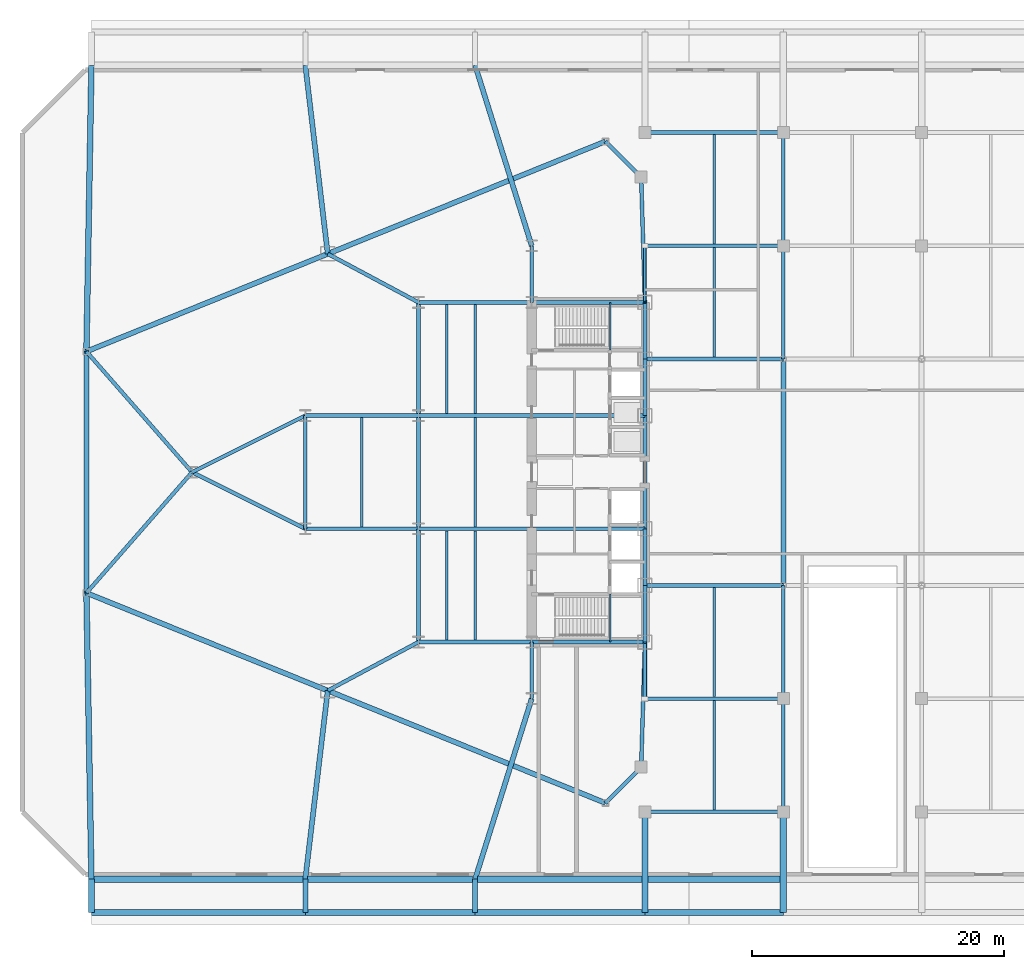
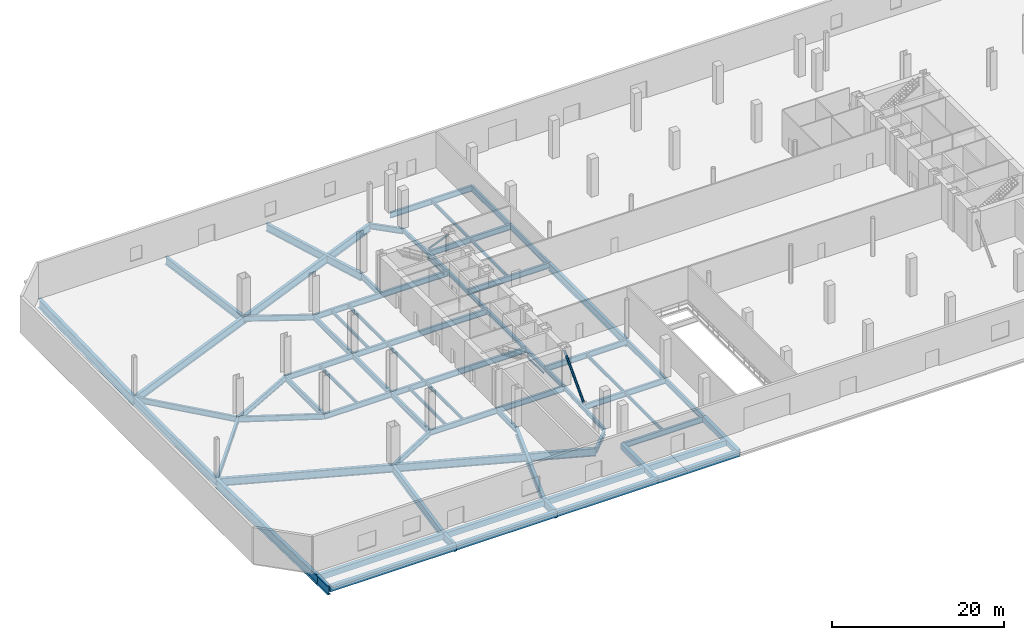
# One storey, part 7 of 21: 78 beams, 2 members.
"""IFC4 building model written with IfcOpenShell, lengths in metres."""

from ifc_helpers import new_model, si_unit, direction, frame, origin, origin_2d, place, context, subcontext, project, spatial, rectangle, hollow_circle, i_section, extrude, source, transform, mapped, material, material_profile, profile_set, type_object, type_shapes, element, save


model = new_model("IFC4")

# Units and contexts
model_context = context("Model", 3, precision=1e-05, world=origin(), true_north=direction((0.0, 1.0)))
body_context = subcontext(model_context, "Body", "Model", "MODEL_VIEW")
ifc_project = project(units=[si_unit("LENGTHUNIT", "METRE"), si_unit("AREAUNIT", "SQUARE_METRE"), si_unit("VOLUMEUNIT", "CUBIC_METRE"), si_unit("PLANEANGLEUNIT", "RADIAN"), si_unit("MASSUNIT", "GRAM", prefix="KILO")], contexts=[model_context])

# Site, building, storey
site_placement = place(None, origin())
site = spatial("IfcSite", under=ifc_project, at=site_placement, CompositionType="ELEMENT")
building_placement = place(site_placement, origin())
building = spatial("IfcBuilding", under=site, at=building_placement, Name="Seokmaru Belvedere", CompositionType="ELEMENT")
storey_placement = place(building_placement, origin())
storey = spatial("IfcBuildingStorey", under=building, at=storey_placement, Name="L00", CompositionType="ELEMENT", Elevation=0.0)

# Beams
ifc_material_1 = material(Name="Steel SM355 (355 MPa)", Category="steel")
ifc_material_profile_1 = material_profile(ifc_material_1, i_section(OverallWidth=0.300048828125, OverallDepth=0.587890625, WebThickness=0.011962890625, FlangeThickness=0.02001953125, at=origin_2d()), Name="H-588x300x12x20")
ifc_profile_set_1 = profile_set([ifc_material_profile_1], Name="Steel SM355 (355 MPa)")
beam_type_1 = type_object("IfcBeamType", Name="Podium Edge Spandrel Beam H-588", PredefinedType="SPANDREL", material=ifc_profile_set_1)
shared_shape_1 = source(origin(), body_context, "Body", "SweptSolid", [
    extrude(i_section(OverallWidth=0.300048828125, OverallDepth=0.587890625, WebThickness=0.011962890625, FlangeThickness=0.02001953125, at=origin_2d()), origin(), (0.0, 0.0, 1.0), 4.5),
])
for number, where, z_axis, x_axis, name in (
    (1, (-27.5, -13.5, -0.573974609375), (0.0, 1.0, 0.0), (-1.0, 0.0, 0.0), "L00 W Portal Spine Spandrel 1"),
    (2, (-27.5, -9.0, -0.573974609375), (0.0, 1.0, 0.0), (-1.0, 0.0, 0.0), "L00 W Portal Spine Spandrel 2"),
    (3, (-27.5, 4.5, -0.573974609375), (0.0, 1.0, 0.0), (-1.0, 0.0, 0.0), "L00 W Portal Spine Spandrel 4"),
    (4, (-27.5, 9.0, -0.573974609375), (0.0, 1.0, 0.0), (-1.0, 0.0, 0.0), "L00 W Portal Spine Spandrel 5"),
):
    element("IfcBeam", number, at=place(storey_placement, frame(where, z_axis=z_axis, x_axis=x_axis)), inside=storey, type_object=beam_type_1, Name=name, PredefinedType="SPANDREL", context=body_context, shape_type="MappedRepresentation", body=[
        mapped(shared_shape_1, transform((0.0, 0.0, 0.0), scale=1.0)),
    ])
shared_shape_2 = source(origin(), body_context, "Body", "SweptSolid", [
    extrude(i_section(OverallWidth=0.300048828125, OverallDepth=0.587890625, WebThickness=0.011962890625, FlangeThickness=0.02001953125, at=origin_2d()), origin(), (0.0, 0.0, 1.0), 9.0),
])
beam_1_placement = place(storey_placement, frame((-27.5, -4.5, -0.573974609375), z_axis=(0.0, 1.0, 0.0), x_axis=(-1.0, 0.0, 0.0)))
element("IfcBeam", 5, at=beam_1_placement, inside=storey, type_object=beam_type_1, Name="L00 W Portal Spine Spandrel 3", PredefinedType="SPANDREL", context=body_context, shape_type="MappedRepresentation", body=[
    mapped(shared_shape_2, transform((0.0, 0.0, 0.0), scale=1.0)),
])
ifc_material_profile_2 = material_profile(ifc_material_1, i_section(OverallWidth=0.39990234375, OverallDepth=1.10009765625, WebThickness=0.02001953125, FlangeThickness=0.033935546875, at=origin_2d()), Name="BH-1100x400x20x34")
ifc_profile_set_2 = profile_set([ifc_material_profile_2], Name="Steel SM355 (355 MPa)")
beam_type_2 = type_object("IfcBeamType", Name="Sky-Gate Transverse Girder BH-1100", PredefinedType="BEAM", material=ifc_profile_set_2)
shared_shape_3 = source(origin(), body_context, "Body", "SweptSolid", [
    extrude(i_section(OverallWidth=0.39990234375, OverallDepth=1.10009765625, WebThickness=0.02001953125, FlangeThickness=0.033935546875, at=origin_2d()), origin(), (0.0, 0.0, 1.0), 23.811767578125),
])
for number, where, z_axis, x_axis, name in (
    (6, (-30.643310546875, -26.294677734375, -0.830078125), (-0.92694579442, 0.375195274766, 0.0), (-0.375195274766, -0.92694579442, 0.0), "L00 W Podium Long-Span Flank Girder S-1"),
    (7, (-30.643310546875, 26.294677734375, -0.830078125), (-0.92694579442, -0.375195274766, 0.0), (0.375195274766, -0.92694579442, 0.0), "L00 W Podium Long-Span Flank Girder N-1"),
):
    element("IfcBeam", number, at=place(storey_placement, frame(where, z_axis=z_axis, x_axis=x_axis)), inside=storey, type_object=beam_type_2, Name=name, PredefinedType="BEAM", context=body_context, shape_type="MappedRepresentation", body=[
        mapped(shared_shape_3, transform((0.0, 0.0, 0.0), scale=1.0)),
    ])
shared_shape_4 = source(origin(), body_context, "Body", "SweptSolid", [
    extrude(i_section(OverallWidth=0.39990234375, OverallDepth=1.10009765625, WebThickness=0.02001953125, FlangeThickness=0.033935546875, at=origin_2d()), origin(), (0.0, 0.0, 1.0), 20.6962890625),
])
for number, where, z_axis, x_axis, name in (
    (8, (-52.715576171875, -17.360595703125, -0.830078125), (-0.92695003666, 0.37518479385, 0.0), (-0.37518479385, -0.92695003666, 0.0), "L00 W Podium Long-Span Flank Girder S-2"),
    (9, (-52.715576171875, 17.360595703125, -0.830078125), (-0.92695003666, -0.37518479385, 0.0), (0.37518479385, -0.92695003666, 0.0), "L00 W Podium Long-Span Flank Girder N-2"),
):
    element("IfcBeam", number, at=place(storey_placement, frame(where, z_axis=z_axis, x_axis=x_axis)), inside=storey, type_object=beam_type_2, Name=name, PredefinedType="BEAM", context=body_context, shape_type="MappedRepresentation", body=[
        mapped(shared_shape_4, transform((0.0, 0.0, 0.0), scale=1.0)),
    ])
shared_shape_5 = source(origin(), body_context, "Body", "SweptSolid", [
    extrude(i_section(OverallWidth=0.39990234375, OverallDepth=1.10009765625, WebThickness=0.02001953125, FlangeThickness=0.033935546875, at=origin_2d()), origin(), (0.0, 0.0, 1.0), 19.19140625),
])
beam_2_placement = place(storey_placement, frame((-71.89990234375, -9.595703125, -0.830078125), z_axis=(0.0, 1.0, 0.0), x_axis=(-1.0, 0.0, 0.0)))
element("IfcBeam", 10, at=beam_2_placement, inside=storey, type_object=beam_type_2, Name="L00 W Podium Long-Span Apex Girder", PredefinedType="BEAM", context=body_context, shape_type="MappedRepresentation", body=[
    mapped(shared_shape_5, transform((0.0, 0.0, 0.0), scale=1.0)),
])
shared_shape_6 = source(origin(), body_context, "Body", "SweptSolid", [
    extrude(i_section(OverallWidth=0.300048828125, OverallDepth=0.587890625, WebThickness=0.011962890625, FlangeThickness=0.02001953125, at=origin_2d()), origin(), (0.0, 0.0, 1.0), 9.9560546875),
])
type_shapes(beam_type_1, [shared_shape_1, shared_shape_2, shared_shape_6])
for number, where, z_axis, x_axis, name in (
    (11, (-27.800048828125, -23.451416015625, -0.573974609375), (0.030137674137, 0.999545757131, 0.0), (-0.999545757131, 0.030137674137, 0.0), "L00 W Podium Spine Shoulder Tie S"),
    (12, (-27.800048828125, 23.451416015625, -0.573974609375), (0.030137674137, -0.999545757131, 0.0), (0.999545757131, 0.030137674137, 0.0), "L00 W Podium Spine Shoulder Tie N"),
):
    element("IfcBeam", number, at=place(storey_placement, frame(where, z_axis=z_axis, x_axis=x_axis)), inside=storey, type_object=beam_type_1, Name=name, PredefinedType="SPANDREL", context=body_context, shape_type="MappedRepresentation", body=[
        mapped(shared_shape_6, transform((0.0, 0.0, 0.0), scale=1.0)),
    ])
ifc_material_2 = material(Name="Concrete C50 (50 MPa)", Category="concrete")
ifc_material_profile_3 = material_profile(ifc_material_2, rectangle(XDim=0.5, YDim=0.800048828125, at=origin_2d()), Name="RC-500x800")
ifc_profile_set_3 = profile_set([ifc_material_profile_3], Name="Concrete C50 (50 MPa)")
beam_type_3 = type_object("IfcBeamType", Name="Plaza Perimeter Concrete Edge Beam RC-500x800", PredefinedType="BEAM", material=ifc_profile_set_3)
shared_shape_7 = source(origin(), body_context, "Body", "SweptSolid", [
    extrude(rectangle(XDim=0.5, YDim=0.800048828125, at=origin_2d()), origin(), (0.0, 0.0, 1.0), 17.0),
])
beam_3_placement = place(storey_placement, frame((-71.5, -35.0, -0.679931640625), z_axis=(1.0, 0.0, 0.0), x_axis=(0.0, 1.0, 0.0)))
element("IfcBeam", 13, at=beam_3_placement, inside=storey, type_object=beam_type_3, Name="L00 Plaza Substructure Edge Beam S-1", PredefinedType="BEAM", context=body_context, shape_type="MappedRepresentation", body=[
    mapped(shared_shape_7, transform((0.0, 0.0, 0.0), scale=1.0)),
])
shared_shape_8 = source(origin(), body_context, "Body", "SweptSolid", [
    extrude(rectangle(XDim=0.5, YDim=0.800048828125, at=origin_2d()), origin(), (0.0, 0.0, 1.0), 13.5),
])
for number, where, z_axis, x_axis, name in (
    (14, (-54.5, -35.0, -0.679931640625), (1.0, 0.0, 0.0), (0.0, 1.0, 0.0), "L00 Plaza Substructure Edge Beam S-2"),
    (15, (-41.0, -35.0, -0.679931640625), (1.0, 0.0, 0.0), (0.0, 1.0, 0.0), "L00 Plaza Substructure Edge Beam S-3"),
):
    element("IfcBeam", number, at=place(storey_placement, frame(where, z_axis=z_axis, x_axis=x_axis)), inside=storey, type_object=beam_type_3, Name=name, PredefinedType="BEAM", context=body_context, shape_type="MappedRepresentation", body=[
        mapped(shared_shape_8, transform((0.0, 0.0, 0.0), scale=1.0)),
    ])
shared_shape_9 = source(origin(), body_context, "Body", "SweptSolid", [
    extrude(rectangle(XDim=0.5, YDim=0.800048828125, at=origin_2d()), origin(), (0.0, 0.0, 1.0), 11.0),
])
beam_4_placement = place(storey_placement, frame((-27.5, -35.0, -0.679931640625), z_axis=(1.0, 0.0, 0.0), x_axis=(0.0, 1.0, 0.0)))
element("IfcBeam", 16, at=beam_4_placement, inside=storey, type_object=beam_type_3, Name="L00 Plaza Substructure Edge Beam S-4", PredefinedType="BEAM", context=body_context, shape_type="MappedRepresentation", body=[
    mapped(shared_shape_9, transform((0.0, 0.0, 0.0), scale=1.0)),
])
ifc_material_profile_4 = material_profile(ifc_material_1, i_section(OverallWidth=0.300048828125, OverallDepth=0.800048828125, WebThickness=0.013916015625, FlangeThickness=0.02587890625, at=origin_2d()), Name="H-800x300x14x26")
ifc_profile_set_4 = profile_set([ifc_material_profile_4], Name="Steel SM355 (355 MPa)")
beam_type_4 = type_object("IfcBeamType", Name="Podium Primary Girder H-800", PredefinedType="BEAM", material=ifc_profile_set_4)
shared_shape_10 = source(origin(), body_context, "Body", "SweptSolid", [
    extrude(i_section(OverallWidth=0.300048828125, OverallDepth=0.800048828125, WebThickness=0.013916015625, FlangeThickness=0.02587890625, at=origin_2d()), origin(), (0.0, 0.0, 1.0), 4.5),
])
for number, where, z_axis, x_axis, name in (
    (17, (-36.5, -18.0, -0.679931640625), (0.0, 1.0, 0.0), (-1.0, 0.0, 0.0), "L00 W Core Shoulder Girder S"),
    (18, (-36.5, 13.5, -0.679931640625), (0.0, 1.0, 0.0), (-1.0, 0.0, 0.0), "L00 W Core Shoulder Girder N"),
):
    element("IfcBeam", number, at=place(storey_placement, frame(where, z_axis=z_axis, x_axis=x_axis)), inside=storey, type_object=beam_type_4, Name=name, PredefinedType="BEAM", context=body_context, shape_type="MappedRepresentation", body=[
        mapped(shared_shape_10, transform((0.0, 0.0, 0.0), scale=1.0)),
    ])
shared_shape_11 = source(origin(), body_context, "Body", "SweptSolid", [
    extrude(i_section(OverallWidth=0.300048828125, OverallDepth=0.800048828125, WebThickness=0.013916015625, FlangeThickness=0.02587890625, at=origin_2d()), origin(), (0.0, 0.0, 1.0), 9.0),
])
for number, where, z_axis, x_axis, name in (
    (19, (-45.5, -13.5, -0.679931640625), (0.0, 1.0, 0.0), (-1.0, 0.0, 0.0), "L00 W Interior Grid Girder 1"),
    (20, (-45.5, -4.5, -0.679931640625), (0.0, 1.0, 0.0), (-1.0, 0.0, 0.0), "L00 W Interior Grid Girder 2"),
    (21, (-45.5, 4.5, -0.679931640625), (0.0, 1.0, 0.0), (-1.0, 0.0, 0.0), "L00 W Interior Grid Girder 3"),
    (22, (-36.5, -13.5, -0.679931640625), (1.0, 0.0, 0.0), (0.0, 1.0, 0.0), "L00 W Core Tie Girder 1"),
    (23, (-45.5, -13.5, -0.679931640625), (1.0, 0.0, 0.0), (0.0, 1.0, 0.0), "L00 W Wing Primary Girder 1"),
    (24, (-36.5, -4.5, -0.679931640625), (1.0, 0.0, 0.0), (0.0, 1.0, 0.0), "L00 W Core Tie Girder 2"),
    (25, (-45.5, -4.5, -0.679931640625), (1.0, 0.0, 0.0), (0.0, 1.0, 0.0), "L00 W Wing Primary Girder 2"),
    (26, (-36.5, 4.5, -0.679931640625), (1.0, 0.0, 0.0), (0.0, 1.0, 0.0), "L00 W Core Tie Girder 3"),
    (27, (-45.5, 4.5, -0.679931640625), (1.0, 0.0, 0.0), (0.0, 1.0, 0.0), "L00 W Wing Primary Girder 3"),
    (28, (-36.5, 13.5, -0.679931640625), (1.0, 0.0, 0.0), (0.0, 1.0, 0.0), "L00 W Core Tie Girder 4"),
    (29, (-45.5, 13.5, -0.679931640625), (1.0, 0.0, 0.0), (0.0, 1.0, 0.0), "L00 W Wing Primary Girder 4"),
    (30, (-54.5, -4.5, -0.679931640625), (1.0, 0.0, 0.0), (0.0, 1.0, 0.0), "L00 W Outer Wing Girder 1"),
    (31, (-54.5, 4.5, -0.679931640625), (1.0, 0.0, 0.0), (0.0, 1.0, 0.0), "L00 W Outer Wing Girder 2"),
    (32, (-54.5, -4.5, -0.679931640625), (0.0, 1.0, 0.0), (-1.0, 0.0, 0.0), "L00 W Apex Frame Girder"),
    (33, (-16.5, -27.0, -0.679931640625), (0.0, 1.0, 0.0), (-1.0, 0.0, 0.0), "L00 Central Podium Transverse Girder 1-1"),
    (34, (-16.5, -18.0, -0.679931640625), (0.0, 1.0, 0.0), (-1.0, 0.0, 0.0), "L00 Central Podium Transverse Girder 1-2"),
    (35, (-16.5, 9.0, -0.679931640625), (0.0, 1.0, 0.0), (-1.0, 0.0, 0.0), "L00 Central Podium Transverse Girder 1-4"),
    (36, (-16.5, 18.0, -0.679931640625), (0.0, 1.0, 0.0), (-1.0, 0.0, 0.0), "L00 Central Podium Transverse Girder 1-5"),
):
    element("IfcBeam", number, at=place(storey_placement, frame(where, z_axis=z_axis, x_axis=x_axis)), inside=storey, type_object=beam_type_4, Name=name, PredefinedType="BEAM", context=body_context, shape_type="MappedRepresentation", body=[
        mapped(shared_shape_11, transform((0.0, 0.0, 0.0), scale=1.0)),
    ])
shared_shape_12 = source(origin(), body_context, "Body", "SweptSolid", [
    extrude(i_section(OverallWidth=0.300048828125, OverallDepth=0.800048828125, WebThickness=0.013916015625, FlangeThickness=0.02587890625, at=origin_2d()), origin(), (0.0, 0.0, 1.0), 10.062255859375),
])
for number, where, z_axis, x_axis, name in (
    (37, (-54.5, -4.5, -0.679931640625), (-0.894427191, 0.4472135955, 0.0), (-0.4472135955, -0.894427191, 0.0), "L00 W Apex Converging Girder 1"),
    (38, (-54.5, 4.5, -0.679931640625), (-0.894427191, -0.4472135955, 0.0), (0.4472135955, -0.894427191, 0.0), "L00 W Apex Converging Girder 2"),
):
    element("IfcBeam", number, at=place(storey_placement, frame(where, z_axis=z_axis, x_axis=x_axis)), inside=storey, type_object=beam_type_4, Name=name, PredefinedType="BEAM", context=body_context, shape_type="MappedRepresentation", body=[
        mapped(shared_shape_12, transform((0.0, 0.0, 0.0), scale=1.0)),
    ])
ifc_material_profile_5 = material_profile(ifc_material_1, i_section(OverallWidth=0.199951171875, OverallDepth=0.449951171875, WebThickness=0.009033203125, FlangeThickness=0.013916015625, at=origin_2d()), Name="H-450x200x9x14")
ifc_profile_set_5 = profile_set([ifc_material_profile_5], Name="Steel SM355 (355 MPa)")
beam_type_5 = type_object("IfcBeamType", Name="Podium Secondary Joist H-450", PredefinedType="JOIST", material=ifc_profile_set_5)
shared_shape_13 = source(origin(), body_context, "Body", "SweptSolid", [
    extrude(i_section(OverallWidth=0.199951171875, OverallDepth=0.449951171875, WebThickness=0.009033203125, FlangeThickness=0.013916015625, at=origin_2d()), origin(), (0.0, 0.0, 1.0), 8.68994140625),
])
type_shapes(beam_type_5, [shared_shape_13])
for number, where, z_axis, x_axis, name in (
    (39, (-43.25, -13.344970703125, -0.5048828125), (0.0, 1.0, 0.0), (-1.0, 0.0, 0.0), "L00 W Wing Inner Secondary Joist 1"),
    (40, (-43.25, 4.655029296875, -0.5048828125), (0.0, 1.0, 0.0), (-1.0, 0.0, 0.0), "L00 W Wing Inner Secondary Joist 2"),
    (41, (-41.0, -13.344970703125, -0.5048828125), (0.0, 1.0, 0.0), (-1.0, 0.0, 0.0), "L00 W Secondary Floor Joist 1"),
    (42, (-41.0, -4.344970703125, -0.5048828125), (0.0, 1.0, 0.0), (-1.0, 0.0, 0.0), "L00 W Secondary Floor Joist 2"),
    (43, (-41.0, 4.655029296875, -0.5048828125), (0.0, 1.0, 0.0), (-1.0, 0.0, 0.0), "L00 W Secondary Floor Joist 3"),
    (44, (-50.0, -4.344970703125, -0.5048828125), (0.0, 1.0, 0.0), (-1.0, 0.0, 0.0), "L00 W Outer Bay Secondary Joist"),
    (45, (-22.0, -26.844970703125, -0.5048828125), (0.0, 1.0, 0.0), (-1.0, 0.0, 0.0), "L00 Central Podium Secondary Joist 1-1"),
    (46, (-22.0, -17.844970703125, -0.5048828125), (0.0, 1.0, 0.0), (-1.0, 0.0, 0.0), "L00 Central Podium Secondary Joist 1-2"),
    (47, (-22.0, 9.155029296875, -0.5048828125), (0.0, 1.0, 0.0), (-1.0, 0.0, 0.0), "L00 Central Podium Secondary Joist 1-3"),
    (48, (-22.0, 18.155029296875, -0.5048828125), (0.0, 1.0, 0.0), (-1.0, 0.0, 0.0), "L00 Central Podium Secondary Joist 1-4"),
):
    element("IfcBeam", number, at=place(storey_placement, frame(where, z_axis=z_axis, x_axis=x_axis)), inside=storey, type_object=beam_type_5, Name=name, PredefinedType="JOIST", context=body_context, shape_type="MappedRepresentation", body=[
        mapped(shared_shape_13, transform((0.0, 0.0, 0.0), scale=1.0)),
    ])
shared_shape_14 = source(origin(), body_context, "Body", "SweptSolid", [
    extrude(i_section(OverallWidth=0.300048828125, OverallDepth=0.800048828125, WebThickness=0.013916015625, FlangeThickness=0.02587890625, at=origin_2d()), origin(), (0.0, 0.0, 1.0), 4.02099609375),
])
for number, where, z_axis, x_axis, name in (
    (49, (-30.643310546875, -26.294677734375, -0.679931640625), (0.707106781187, 0.707106781187, 0.0), (-0.707106781187, 0.707106781187, 0.0), "L00 W Podium South Shoulder Girder"),
    (50, (-30.643310546875, 26.294677734375, -0.679931640625), (0.707106781187, -0.707106781187, 0.0), (0.707106781187, 0.707106781187, 0.0), "L00 W Podium North Shoulder Girder"),
):
    element("IfcBeam", number, at=place(storey_placement, frame(where, z_axis=z_axis, x_axis=x_axis)), inside=storey, type_object=beam_type_4, Name=name, PredefinedType="BEAM", context=body_context, shape_type="MappedRepresentation", body=[
        mapped(shared_shape_14, transform((0.0, 0.0, 0.0), scale=1.0)),
    ])
shared_shape_15 = source(origin(), body_context, "Body", "SweptSolid", [
    extrude(i_section(OverallWidth=0.300048828125, OverallDepth=0.800048828125, WebThickness=0.013916015625, FlangeThickness=0.02587890625, at=origin_2d()), origin(), (0.0, 0.0, 1.0), 8.183349609375),
])
for number, where, z_axis, x_axis, name in (
    (51, (-52.715576171875, -17.360595703125, -0.679931640625), (0.881728657166, 0.47175690258, 0.0), (-0.47175690258, 0.881728657166, 0.0), "L00 W Flank Radial Floor Girder S-2"),
    (52, (-52.715576171875, 17.360595703125, -0.679931640625), (0.881728657166, -0.47175690258, 0.0), (0.47175690258, 0.881728657166, 0.0), "L00 W Flank Radial Floor Girder N-2"),
):
    element("IfcBeam", number, at=place(storey_placement, frame(where, z_axis=z_axis, x_axis=x_axis)), inside=storey, type_object=beam_type_4, Name=name, PredefinedType="BEAM", context=body_context, shape_type="MappedRepresentation", body=[
        mapped(shared_shape_15, transform((0.0, 0.0, 0.0), scale=1.0)),
    ])
shared_shape_16 = source(origin(), body_context, "Body", "SweptSolid", [
    extrude(i_section(OverallWidth=0.300048828125, OverallDepth=0.800048828125, WebThickness=0.013916015625, FlangeThickness=0.02587890625, at=origin_2d()), origin(), (0.0, 0.0, 1.0), 12.7529296875),
])
for number, where, z_axis, x_axis, name in (
    (53, (-71.89990234375, -9.595703125, -0.679931640625), (0.658667231479, 0.752434368019, 0.0), (-0.752434368019, 0.658667231479, 0.0), "L00 W Apex Radial Floor Girder 1"),
    (54, (-71.89990234375, 9.595703125, -0.679931640625), (0.658667231479, -0.752434368019, 0.0), (0.752434368019, 0.658667231479, 0.0), "L00 W Apex Radial Floor Girder 2"),
):
    element("IfcBeam", number, at=place(storey_placement, frame(where, z_axis=z_axis, x_axis=x_axis)), inside=storey, type_object=beam_type_4, Name=name, PredefinedType="BEAM", context=body_context, shape_type="MappedRepresentation", body=[
        mapped(shared_shape_16, transform((0.0, 0.0, 0.0), scale=1.0)),
    ])
shared_shape_17 = source(origin(), body_context, "Body", "SweptSolid", [
    extrude(i_section(OverallWidth=0.300048828125, OverallDepth=0.800048828125, WebThickness=0.013916015625, FlangeThickness=0.02587890625, at=origin_2d()), origin(), (0.0, 0.0, 1.0), 11.0),
])
type_shapes(beam_type_4, [shared_shape_10, shared_shape_11, shared_shape_12, shared_shape_14, shared_shape_15, shared_shape_16, shared_shape_17])
for number, where, z_axis, x_axis, name in (
    (55, (-27.5, -27.0, -0.679931640625), (1.0, 0.0, 0.0), (0.0, 1.0, 0.0), "L00 Central Podium Girder 1-1"),
    (56, (-27.5, -18.0, -0.679931640625), (1.0, 0.0, 0.0), (0.0, 1.0, 0.0), "L00 Central Podium Girder 2-1"),
    (57, (-27.5, -9.0, -0.679931640625), (1.0, 0.0, 0.0), (0.0, 1.0, 0.0), "L00 Central Podium Girder 3-1"),
    (58, (-27.5, 9.0, -0.679931640625), (1.0, 0.0, 0.0), (0.0, 1.0, 0.0), "L00 Central Podium Girder 4-1"),
    (59, (-27.5, 18.0, -0.679931640625), (1.0, 0.0, 0.0), (0.0, 1.0, 0.0), "L00 Central Podium Girder 5-1"),
    (60, (-27.5, 27.0, -0.679931640625), (1.0, 0.0, 0.0), (0.0, 1.0, 0.0), "L00 Central Podium Girder 6-1"),
):
    element("IfcBeam", number, at=place(storey_placement, frame(where, z_axis=z_axis, x_axis=x_axis)), inside=storey, type_object=beam_type_4, Name=name, PredefinedType="BEAM", context=body_context, shape_type="MappedRepresentation", body=[
        mapped(shared_shape_17, transform((0.0, 0.0, 0.0), scale=1.0)),
    ])
shared_shape_18 = source(origin(), body_context, "Body", "SweptSolid", [
    extrude(i_section(OverallWidth=0.39990234375, OverallDepth=1.10009765625, WebThickness=0.02001953125, FlangeThickness=0.033935546875, at=origin_2d()), origin(), (0.0, 0.0, 1.0), 18.0),
])
beam_5_placement = place(storey_placement, frame((-16.5, -9.0, -0.830078125), z_axis=(0.0, 1.0, 0.0), x_axis=(-1.0, 0.0, 0.0)))
element("IfcBeam", 61, at=beam_5_placement, inside=storey, type_object=beam_type_2, Name="L00 Central Podium Transverse Girder 1-3", PredefinedType="BEAM", context=body_context, shape_type="MappedRepresentation", body=[
    mapped(shared_shape_18, transform((0.0, 0.0, 0.0), scale=1.0)),
])
shared_shape_19 = source(origin(), body_context, "Body", "SweptSolid", [
    extrude(rectangle(XDim=0.5, YDim=0.800048828125, at=origin_2d()), origin(), (0.0, 0.0, 1.0), 16.5849609375),
])
beam_6_placement = place(storey_placement, frame((-71.280029296875, -32.35009765625, -0.679931640625), z_axis=(1.0, 0.0, 0.0), x_axis=(0.0, 1.0, 0.0)))
element("IfcBeam", 62, at=beam_6_placement, inside=storey, type_object=beam_type_3, Name="L00 Plaza Inner Support Beam S-1", PredefinedType="BEAM", context=body_context, shape_type="MappedRepresentation", body=[
    mapped(shared_shape_19, transform((0.0, 0.0, 0.0), scale=1.0)),
])
shared_shape_20 = source(origin(), body_context, "Body", "SweptSolid", [
    extrude(rectangle(XDim=0.5, YDim=0.800048828125, at=origin_2d()), origin(), (0.0, 0.0, 1.0), 13.10986328125),
])
beam_7_placement = place(storey_placement, frame((-54.304931640625, -32.35009765625, -0.679931640625), z_axis=(1.0, 0.0, 0.0), x_axis=(0.0, 1.0, 0.0)))
element("IfcBeam", 63, at=beam_7_placement, inside=storey, type_object=beam_type_3, Name="L00 Plaza Inner Support Beam S-2", PredefinedType="BEAM", context=body_context, shape_type="MappedRepresentation", body=[
    mapped(shared_shape_20, transform((0.0, 0.0, 0.0), scale=1.0)),
])
shared_shape_21 = source(origin(), body_context, "Body", "SweptSolid", [
    extrude(rectangle(XDim=0.5, YDim=0.800048828125, at=origin_2d()), origin(), (0.0, 0.0, 1.0), 13.059814453125),
])
beam_8_placement = place(storey_placement, frame((-40.804931640625, -32.35009765625, -0.679931640625), z_axis=(1.0, 0.0, 0.0), x_axis=(0.0, 1.0, 0.0)))
element("IfcBeam", 64, at=beam_8_placement, inside=storey, type_object=beam_type_3, Name="L00 Plaza Inner Support Beam S-3", PredefinedType="BEAM", context=body_context, shape_type="MappedRepresentation", body=[
    mapped(shared_shape_21, transform((0.0, 0.0, 0.0), scale=1.0)),
])
shared_shape_22 = source(origin(), body_context, "Body", "SweptSolid", [
    extrude(rectangle(XDim=0.5, YDim=0.800048828125, at=origin_2d()), origin(), (0.0, 0.0, 1.0), 10.509765625),
])
beam_9_placement = place(storey_placement, frame((-27.2548828125, -32.35009765625, -0.679931640625), z_axis=(1.0, 0.0, 0.0), x_axis=(0.0, 1.0, 0.0)))
element("IfcBeam", 65, at=beam_9_placement, inside=storey, type_object=beam_type_3, Name="L00 Plaza Inner Support Beam S-4", PredefinedType="BEAM", context=body_context, shape_type="MappedRepresentation", body=[
    mapped(shared_shape_22, transform((0.0, 0.0, 0.0), scale=1.0)),
])
ifc_material_3 = material(Name="Steel HSA650 (650 MPa)", Category="steel")
ifc_material_profile_6 = material_profile(ifc_material_3, i_section(OverallWidth=0.449951171875, OverallDepth=1.300048828125, WebThickness=0.02197265625, FlangeThickness=0.0380859375, at=origin_2d()), Name="BH-1300x450x22x38")
ifc_profile_set_6 = profile_set([ifc_material_profile_6], Name="Steel HSA650 (650 MPa)")
beam_type_6 = type_object("IfcBeamType", Name="Observatory Long-Span Roof Girder BH-1300", PredefinedType="BEAM", material=ifc_profile_set_6)
shared_shape_23 = source(origin(), body_context, "Body", "SweptSolid", [
    extrude(i_section(OverallWidth=0.449951171875, OverallDepth=1.300048828125, WebThickness=0.02197265625, FlangeThickness=0.0380859375, at=origin_2d()), origin(), (0.0, 0.0, 1.0), 2.64990234375),
])
beam_10_placement = place(storey_placement, frame((-71.5, -35.0, -0.929931640625), z_axis=(0.0, 1.0, 0.0), x_axis=(-1.0, 0.0, 0.0)))
element("IfcBeam", 66, at=beam_10_placement, inside=storey, type_object=beam_type_6, Name="L00 Plaza Outer Cantilever Rib S-1", PredefinedType="BEAM", context=body_context, shape_type="MappedRepresentation", body=[
    mapped(shared_shape_23, transform((0.0, 0.0, 0.0), scale=1.0)),
])
shared_shape_24 = source(origin(), body_context, "Body", "SweptSolid", [
    extrude(i_section(OverallWidth=0.449951171875, OverallDepth=1.300048828125, WebThickness=0.02197265625, FlangeThickness=0.0380859375, at=origin_2d()), origin(), (0.0, 0.0, 1.0), 22.7578125),
])
type_shapes(beam_type_6, [shared_shape_23, shared_shape_24])
for number, where, z_axis, x_axis, name in (
    (67, (-71.5, -32.35009765625, -0.929931640625), (-0.017572016621, 0.999845600196, 0.0), (-0.999845600196, -0.017572016621, 0.0), "L00 Plaza Outer Back-Span Rib S-1"),
    (68, (-71.5, 32.35009765625, -0.929931640625), (-0.017572016621, -0.999845600196, 0.0), (0.999845600196, -0.017572016621, 0.0), "L00 Plaza Outer Back-Span Rib N-1"),
):
    element("IfcBeam", number, at=place(storey_placement, frame(where, z_axis=z_axis, x_axis=x_axis)), inside=storey, type_object=beam_type_6, Name=name, PredefinedType="BEAM", context=body_context, shape_type="MappedRepresentation", body=[
        mapped(shared_shape_24, transform((0.0, 0.0, 0.0), scale=1.0)),
    ])
shared_shape_25 = source(origin(), body_context, "Body", "SweptSolid", [
    extrude(i_section(OverallWidth=0.39990234375, OverallDepth=1.10009765625, WebThickness=0.02001953125, FlangeThickness=0.033935546875, at=origin_2d()), origin(), (0.0, 0.0, 1.0), 2.64990234375),
])
for number, where, z_axis, x_axis, name in (
    (69, (-54.5, -35.0, -0.830078125), (0.0, 1.0, 0.0), (-1.0, 0.0, 0.0), "L00 Plaza Mid Cantilever Rib S-2"),
    (70, (-41.0, -35.0, -0.830078125), (0.0, 1.0, 0.0), (-1.0, 0.0, 0.0), "L00 Plaza Shoulder Rib S-3"),
):
    element("IfcBeam", number, at=place(storey_placement, frame(where, z_axis=z_axis, x_axis=x_axis)), inside=storey, type_object=beam_type_2, Name=name, PredefinedType="BEAM", context=body_context, shape_type="MappedRepresentation", body=[
        mapped(shared_shape_25, transform((0.0, 0.0, 0.0), scale=1.0)),
    ])
shared_shape_26 = source(origin(), body_context, "Body", "SweptSolid", [
    extrude(i_section(OverallWidth=0.39990234375, OverallDepth=1.10009765625, WebThickness=0.02001953125, FlangeThickness=0.033935546875, at=origin_2d()), origin(), (0.0, 0.0, 1.0), 15.095458984375),
])
for number, where, z_axis, x_axis, name in (
    (71, (-54.5, -32.35009765625, -0.830078125), (0.118210231912, 0.992988590605, 0.0), (-0.992988590605, 0.118210231912, 0.0), "L00 Plaza Mid Back-Span Rib S-2"),
    (72, (-54.5, 32.35009765625, -0.830078125), (0.118210231912, -0.992988590605, 0.0), (0.992988590605, 0.118210231912, 0.0), "L00 Plaza Mid Back-Span Rib N-2"),
):
    element("IfcBeam", number, at=place(storey_placement, frame(where, z_axis=z_axis, x_axis=x_axis)), inside=storey, type_object=beam_type_2, Name=name, PredefinedType="BEAM", context=body_context, shape_type="MappedRepresentation", body=[
        mapped(shared_shape_26, transform((0.0, 0.0, 0.0), scale=1.0)),
    ])
shared_shape_27 = source(origin(), body_context, "Body", "SweptSolid", [
    extrude(i_section(OverallWidth=0.39990234375, OverallDepth=1.10009765625, WebThickness=0.02001953125, FlangeThickness=0.033935546875, at=origin_2d()), origin(), (0.0, 0.0, 1.0), 15.0390625),
])
type_shapes(beam_type_2, [shared_shape_3, shared_shape_4, shared_shape_5, shared_shape_18, shared_shape_25, shared_shape_26, shared_shape_27])
for number, where, z_axis, x_axis, name in (
    (73, (-41.0, -32.35009765625, -0.830078125), (0.299219521173, 0.954184299886, 0.0), (-0.954184299886, 0.299219521173, 0.0), "L00 Plaza Shoulder Back-Span Rib S-3"),
    (74, (-41.0, 32.35009765625, -0.830078125), (0.299219521173, -0.954184299886, 0.0), (0.954184299886, 0.299219521173, 0.0), "L00 Plaza Shoulder Back-Span Rib N-3"),
):
    element("IfcBeam", number, at=place(storey_placement, frame(where, z_axis=z_axis, x_axis=x_axis)), inside=storey, type_object=beam_type_2, Name=name, PredefinedType="BEAM", context=body_context, shape_type="MappedRepresentation", body=[
        mapped(shared_shape_27, transform((0.0, 0.0, 0.0), scale=1.0)),
    ])
shared_shape_28 = source(origin(), body_context, "Body", "SweptSolid", [
    extrude(rectangle(XDim=0.5, YDim=0.800048828125, at=origin_2d()), origin(), (0.0, 0.0, 1.0), 8.0),
])
type_shapes(beam_type_3, [shared_shape_7, shared_shape_8, shared_shape_9, shared_shape_19, shared_shape_20, shared_shape_21, shared_shape_22, shared_shape_28])
for number, where, z_axis, x_axis, name in (
    (75, (-27.5, -35.0, -0.679931640625), (0.0, 1.0, 0.0), (-1.0, 0.0, 0.0), "L00 Plaza Transverse Support Rib S-4"),
    (76, (-16.5, -35.0, -0.679931640625), (0.0, 1.0, 0.0), (-1.0, 0.0, 0.0), "L00 Plaza Transverse Support Rib S-5"),
):
    element("IfcBeam", number, at=place(storey_placement, frame(where, z_axis=z_axis, x_axis=x_axis)), inside=storey, type_object=beam_type_3, Name=name, PredefinedType="BEAM", context=body_context, shape_type="MappedRepresentation", body=[
        mapped(shared_shape_28, transform((0.0, 0.0, 0.0), scale=1.0)),
    ])

# Members
ifc_material_profile_7 = material_profile(ifc_material_1, hollow_circle(Radius=0.1591796875, WallThickness=0.01025390625, at=origin_2d()), Name="CHS-318.5x10.3")
ifc_profile_set_7 = profile_set([ifc_material_profile_7], Name="Steel SM355 (355 MPa)")
member_type_1 = type_object("IfcMemberType", Name="Podium Portal Wind Brace CHS-318", PredefinedType="BRACE", material=ifc_profile_set_7)
shared_shape_29 = source(origin(), body_context, "Body", "SweptSolid", [
    extrude(hollow_circle(Radius=0.1591796875, WallThickness=0.01025390625, at=origin_2d()), origin(), (0.0, 0.0, 1.0), 6.521240234375),
])
type_shapes(member_type_1, [shared_shape_29])
member_1_placement = place(storey_placement, frame((-27.5, -18.0, 0.0), z_axis=(0.0, 0.690040218266, 0.723771025377), x_axis=(-1.0, 0.0, 0.0)))
element("IfcMember", 77, at=member_1_placement, inside=storey, type_object=member_type_1, Name="L00 Podium Portal Wind Brace WS", PredefinedType="BRACE", context=body_context, shape_type="MappedRepresentation", body=[
    mapped(shared_shape_29, transform((0.0, 0.0, 0.0), scale=1.0)),
])
ifc_material_profile_8 = material_profile(ifc_material_1, hollow_circle(Radius=0.1337890625, WallThickness=0.00927734375, at=origin_2d()), Name="CHS-267.4x9.3")
ifc_profile_set_8 = profile_set([ifc_material_profile_8], Name="Steel SM355 (355 MPa)")
member_type_2 = type_object("IfcMemberType", Name="Canopy Tie Strut CHS-267", PredefinedType="BRACE", material=ifc_profile_set_8)
shared_shape_30 = source(origin(), body_context, "Body", "SweptSolid", [
    extrude(hollow_circle(Radius=0.1337890625, WallThickness=0.00927734375, at=origin_2d()), origin(), (0.0, 0.0, 1.0), 6.521240234375),
])
type_shapes(member_type_2, [shared_shape_30])
member_2_placement = place(storey_placement, frame((-27.5, 18.0, 0.0), z_axis=(0.0, -0.690040218266, 0.723771025377), x_axis=(1.0, 0.0, 0.0)))
element("IfcMember", 78, at=member_2_placement, inside=storey, type_object=member_type_2, Name="L00 Podium Portal Tie Strut WN", PredefinedType="BRACE", context=body_context, shape_type="MappedRepresentation", body=[
    mapped(shared_shape_30, transform((0.0, 0.0, 0.0), scale=1.0)),
])

# Beams
ifc_material_profile_9 = material_profile(ifc_material_1, i_section(OverallWidth=0.125, OverallDepth=0.25, WebThickness=0.006103515625, FlangeThickness=0.009033203125, at=origin_2d()), Name="H-250x125x6x9")
ifc_profile_set_9 = profile_set([ifc_material_profile_9], Name="Steel SM355 (355 MPa)")
beam_type_7 = type_object("IfcBeamType", Name="Stair Mid-Landing Support Beam H-250", PredefinedType="JOIST", material=ifc_profile_set_9)
shared_shape_31 = source(origin(), body_context, "Body", "SweptSolid", [
    extrude(i_section(OverallWidth=0.125, OverallDepth=0.25, WebThickness=0.006103515625, FlangeThickness=0.009033203125, at=origin_2d()), origin(), (0.0, 0.0, 1.0), 3.800048828125),
])
type_shapes(beam_type_7, [shared_shape_31])
for number, where, z_axis, x_axis, name in (
    (79, (-30.25, -13.5, 2.375), (0.0, 1.0, 0.0), (-1.0, 0.0, 0.0), "L00 Stair ST-W1 Mid-Landing Support Beam 1"),
    (80, (-30.25, 9.699951171875, 2.375), (0.0, 1.0, 0.0), (-1.0, 0.0, 0.0), "L00 Stair ST-W2 Mid-Landing Support Beam 1"),
):
    element("IfcBeam", number, at=place(storey_placement, frame(where, z_axis=z_axis, x_axis=x_axis)), inside=storey, type_object=beam_type_7, Name=name, PredefinedType="JOIST", context=body_context, shape_type="MappedRepresentation", body=[
        mapped(shared_shape_31, transform((0.0, 0.0, 0.0), scale=1.0)),
    ])

save(model, "model.ifc")
